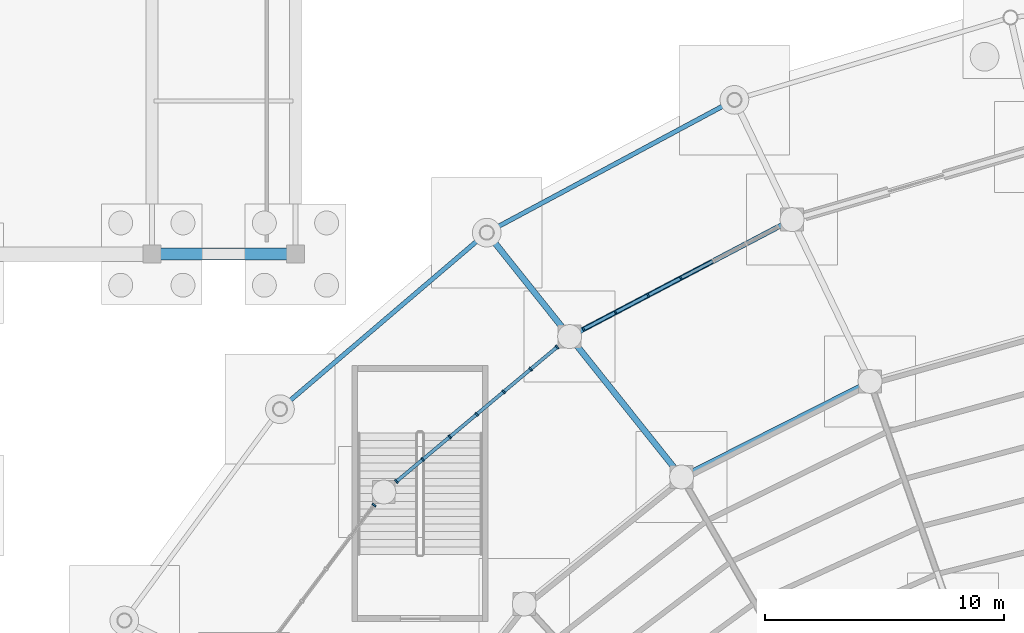
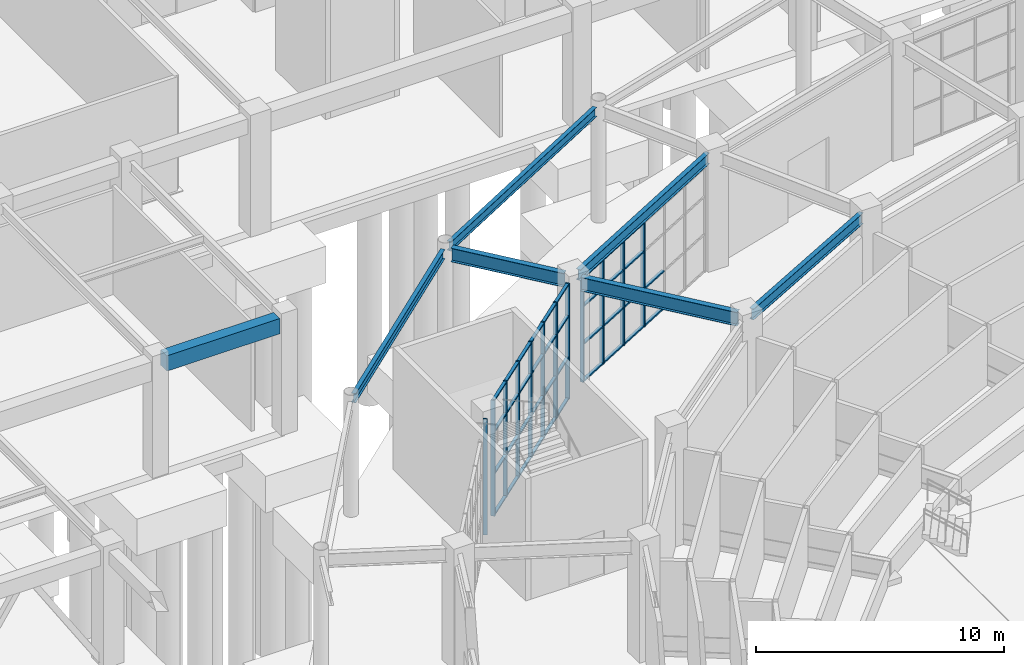
# One storey, part 43 of 121: 50 members, 7 beams, 3 elements without a shape of their own.
"""IFC4 building model written with IfcOpenShell, lengths in metres."""

from ifc_helpers import new_model, si_unit, direction, frame, origin, origin_2d, place, context, subcontext, project, spatial, rectangle, i_section, extrude, material, material_profile, profile_set, type_object, element, aggregate, save


model = new_model("IFC4")

# Units and contexts
model_context = context("Model", 3, precision=1e-05, world=origin(), true_north=direction((0.0, 1.0)))
body_context = subcontext(model_context, "Body", "Model", "MODEL_VIEW")
ifc_project = project(units=[si_unit("LENGTHUNIT", "METRE"), si_unit("AREAUNIT", "SQUARE_METRE"), si_unit("VOLUMEUNIT", "CUBIC_METRE"), si_unit("PLANEANGLEUNIT", "RADIAN"), si_unit("MASSUNIT", "GRAM", prefix="KILO")], contexts=[model_context])

# Site, building, storey
site_placement = place(None, origin())
site = spatial("IfcSite", under=ifc_project, at=site_placement, CompositionType="ELEMENT")
building_placement = place(site_placement, origin())
building = spatial("IfcBuilding", under=site, at=building_placement, Name="Cuetzalor Civic Arena", CompositionType="ELEMENT")
storey_placement = place(building_placement, origin())
storey = spatial("IfcBuildingStorey", under=building, at=storey_placement, Name="L00", CompositionType="ELEMENT", Elevation=0.0)

# Beam
ifc_material_1 = material(Name="Concrete C40/50", Category="concrete")
ifc_material_profile_1 = material_profile(ifc_material_1, rectangle(XDim=0.5, YDim=0.75, at=origin_2d()), Name="RC 500x750")
ifc_profile_set_1 = profile_set([ifc_material_profile_1], Name="Concrete C40/50")
beam_type_1 = type_object("IfcBeamType", Name="ConcreteFrameBeam_500x750", PredefinedType="BEAM", material=ifc_profile_set_1)
beam_1_placement = place(storey_placement, frame((-47.635009765625, 35.5, 5.324951171875), z_axis=(1.0, 0.0, 0.0), x_axis=(0.0, 1.0, 0.0)))
element("IfcBeam", 1, at=beam_1_placement, inside=storey, type_object=beam_type_1, Name="Frame Girder V5-L00-X0215", PredefinedType="BEAM", context=body_context, shape_type="SweptSolid", body=[
    extrude(rectangle(XDim=0.5, YDim=0.75, at=origin_2d()), origin(), (0.0, 0.0, 1.0), 5.27001953125),
])

# Curtain wall, members
ifc_material_2 = material(Name="Anodised dark bronze aluminium and low-E solar glass", Category="aluminium")
curtain_wall_type_1 = type_object("IfcCurtainWallType", Name="UnitisedCW_9250x5150", PredefinedType="USERDEFINED", material=ifc_material_2)
curtain_wall_1_placement = place(storey_placement, origin())
curtain_wall_1 = element("IfcCurtainWall", 2, at=curtain_wall_1_placement, inside=storey, type_object=curtain_wall_type_1, Name="Drum Ground Recessed Concourse Curtain Wall L00-007", ObjectType="UNITISED CURTAIN WALL", PredefinedType="USERDEFINED")
ifc_material_3 = material(Name="Anodised dark bronze aluminium", Category="aluminium")
ifc_material_profile_2 = material_profile(ifc_material_3, rectangle(XDim=0.070068359375, YDim=0.179931640625, at=origin_2d()), Name="ALU MULLION 70x180")
ifc_profile_set_2 = profile_set([ifc_material_profile_2], Name="Anodised dark bronze aluminium")
member_type_1 = type_object("IfcMemberType", Name="CurtainWallMullion_65x180", PredefinedType="MULLION", material=ifc_profile_set_2)
member_1_placement = place(storey_placement, frame((-29.968017578125, 32.361572265625, 0.0), z_axis=(0.0, 0.0, 1.0), x_axis=(0.885118421147, 0.465365856662, 0.0)))
member_1 = element("IfcMember", 3, at=member_1_placement, type_object=member_type_1, Name="CW-04 mullion 1", PredefinedType="MULLION", context=body_context, shape_type="SweptSolid", body=[
    extrude(rectangle(XDim=0.070068359375, YDim=0.179931640625, at=origin_2d()), origin(), (0.0, 0.0, 1.0), 5.156982421875),
])
member_2_placement = place(storey_placement, frame((-28.634521484375, 33.0625, 0.0), z_axis=(0.0, 0.0, 1.0), x_axis=(0.885118421147, 0.465365856662, 0.0)))
member_2 = element("IfcMember", 4, at=member_2_placement, type_object=member_type_1, Name="CW-04 mullion 2", PredefinedType="MULLION", context=body_context, shape_type="SweptSolid", body=[
    extrude(rectangle(XDim=0.070068359375, YDim=0.179931640625, at=origin_2d()), origin(), (0.0, 0.0, 1.0), 5.156982421875),
])
member_3_placement = place(storey_placement, frame((-27.27001953125, 33.780029296875, 0.0), z_axis=(0.0, 0.0, 1.0), x_axis=(0.885118421147, 0.465365856662, 0.0)))
member_3 = element("IfcMember", 5, at=member_3_placement, type_object=member_type_1, Name="CW-04 mullion 3", PredefinedType="MULLION", context=body_context, shape_type="SweptSolid", body=[
    extrude(rectangle(XDim=0.070068359375, YDim=0.179931640625, at=origin_2d()), origin(), (0.0, 0.0, 1.0), 5.156982421875),
])
member_4_placement = place(storey_placement, frame((-25.90576171875, 34.497314453125, 0.0), z_axis=(0.0, 0.0, 1.0), x_axis=(0.885118421147, 0.465365856662, 0.0)))
member_4 = element("IfcMember", 6, at=member_4_placement, type_object=member_type_1, Name="CW-04 mullion 4", PredefinedType="MULLION", context=body_context, shape_type="SweptSolid", body=[
    extrude(rectangle(XDim=0.070068359375, YDim=0.179931640625, at=origin_2d()), origin(), (0.0, 0.0, 1.0), 5.156982421875),
])

ifc_material_4 = material(Name="Anodised dark bronze aluminium and low-E solar glass", Category="aluminium")
curtain_wall_type_2 = type_object("IfcCurtainWallType", Name="UnitisedCW_8800x5700", PredefinedType="USERDEFINED", material=ifc_material_4)
curtain_wall_2_placement = place(storey_placement, origin())
curtain_wall_2 = element("IfcCurtainWall", 7, at=curtain_wall_2_placement, inside=storey, type_object=curtain_wall_type_2, Name="Drum Ground Recessed Concourse Curtain Wall L00-008", ObjectType="UNITISED CURTAIN WALL", PredefinedType="USERDEFINED")
member_5_placement = place(storey_placement, frame((-37.783447265625, 26.00341796875, 0.0), z_axis=(0.0, 0.0, 1.0), x_axis=(0.766928030459, 0.641733119059, 0.0)))
member_5 = element("IfcMember", 8, at=member_5_placement, type_object=member_type_1, Name="CW-03 mullion 1", PredefinedType="MULLION", context=body_context, shape_type="SweptSolid", body=[
    extrude(rectangle(XDim=0.070068359375, YDim=0.179931640625, at=origin_2d()), origin(), (0.0, 0.0, 1.0), 5.699951171875),
])
member_6_placement = place(storey_placement, frame((-36.68359375, 26.923583984375, 0.0), z_axis=(0.0, 0.0, 1.0), x_axis=(0.766928030459, 0.641733119059, 0.0)))
member_6 = element("IfcMember", 9, at=member_6_placement, type_object=member_type_1, Name="CW-03 mullion 2", PredefinedType="MULLION", context=body_context, shape_type="SweptSolid", body=[
    extrude(rectangle(XDim=0.070068359375, YDim=0.179931640625, at=origin_2d()), origin(), (0.0, 0.0, 1.0), 5.699951171875),
])
member_7_placement = place(storey_placement, frame((-35.556884765625, 27.866455078125, 0.0), z_axis=(0.0, 0.0, 1.0), x_axis=(0.766928030459, 0.641733119059, 0.0)))
member_7 = element("IfcMember", 10, at=member_7_placement, type_object=member_type_1, Name="CW-03 mullion 3", PredefinedType="MULLION", context=body_context, shape_type="SweptSolid", body=[
    extrude(rectangle(XDim=0.070068359375, YDim=0.179931640625, at=origin_2d()), origin(), (0.0, 0.0, 1.0), 5.699951171875),
])
member_8_placement = place(storey_placement, frame((-34.430419921875, 28.80908203125, 0.0), z_axis=(0.0, 0.0, 1.0), x_axis=(0.766928030459, 0.641733119059, 0.0)))
member_8 = element("IfcMember", 11, at=member_8_placement, type_object=member_type_1, Name="CW-03 mullion 4", PredefinedType="MULLION", context=body_context, shape_type="SweptSolid", body=[
    extrude(rectangle(XDim=0.070068359375, YDim=0.179931640625, at=origin_2d()), origin(), (0.0, 0.0, 1.0), 5.699951171875),
])
member_9_placement = place(storey_placement, frame((-33.3037109375, 29.751953125, 0.0), z_axis=(0.0, 0.0, 1.0), x_axis=(0.766928030459, 0.641733119059, 0.0)))
member_9 = element("IfcMember", 12, at=member_9_placement, type_object=member_type_1, Name="CW-03 mullion 5", PredefinedType="MULLION", context=body_context, shape_type="SweptSolid", body=[
    extrude(rectangle(XDim=0.070068359375, YDim=0.179931640625, at=origin_2d()), origin(), (0.0, 0.0, 1.0), 5.699951171875),
])
member_10_placement = place(storey_placement, frame((-32.177001953125, 30.694580078125, 0.0), z_axis=(0.0, 0.0, 1.0), x_axis=(0.766928030459, 0.641733119059, 0.0)))
member_10 = element("IfcMember", 13, at=member_10_placement, type_object=member_type_1, Name="CW-03 mullion 6", PredefinedType="MULLION", context=body_context, shape_type="SweptSolid", body=[
    extrude(rectangle(XDim=0.070068359375, YDim=0.179931640625, at=origin_2d()), origin(), (0.0, 0.0, 1.0), 5.699951171875),
])
member_11_placement = place(storey_placement, frame((-31.0771484375, 31.61474609375, 0.0), z_axis=(0.0, 0.0, 1.0), x_axis=(0.766928030459, 0.641733119059, 0.0)))
member_11 = element("IfcMember", 14, at=member_11_placement, type_object=member_type_1, Name="CW-03 mullion 7", PredefinedType="MULLION", context=body_context, shape_type="SweptSolid", body=[
    extrude(rectangle(XDim=0.070068359375, YDim=0.179931640625, at=origin_2d()), origin(), (0.0, 0.0, 1.0), 5.699951171875),
])

# Curtain wall, member
ifc_material_5 = material(Name="Anodised dark bronze aluminium and low-E solar glass", Category="aluminium")
curtain_wall_type_3 = type_object("IfcCurtainWallType", Name="UnitisedCW_8450x5700", PredefinedType="USERDEFINED", material=ifc_material_5)
curtain_wall_3_placement = place(storey_placement, origin())
curtain_wall_3 = element("IfcCurtainWall", 15, at=curtain_wall_3_placement, inside=storey, type_object=curtain_wall_type_3, Name="Drum Ground Recessed Concourse Curtain Wall L00-009", ObjectType="UNITISED CURTAIN WALL", PredefinedType="USERDEFINED")
member_12_placement = place(storey_placement, frame((-38.71923828125, 25.017822265625, 0.0), z_axis=(0.0, 0.0, 1.0), x_axis=(0.600491594925, 0.799631067696, 0.0)))
member_12 = element("IfcMember", 16, at=member_12_placement, type_object=member_type_1, Name="CW-02 mullion 6", PredefinedType="MULLION", context=body_context, shape_type="SweptSolid", body=[
    extrude(rectangle(XDim=0.070068359375, YDim=0.179931640625, at=origin_2d()), origin(), (0.0, 0.0, 1.0), 5.699951171875),
])
aggregate(curtain_wall_3, [member_12])

# Member
ifc_material_6 = material(Name="Anodised dark bronze aluminium", Category="aluminium")
ifc_material_profile_3 = material_profile(ifc_material_6, rectangle(XDim=0.139892578125, YDim=0.070068359375, at=origin_2d()), Name="ALU TRANSOM 70x140")
ifc_profile_set_3 = profile_set([ifc_material_profile_3], Name="Anodised dark bronze aluminium")
member_type_2 = type_object("IfcMemberType", Name="CurtainWallTransom_65x140", PredefinedType="USERDEFINED", material=ifc_profile_set_3)
member_13_placement = place(storey_placement, frame((-29.937255859375, 32.377685546875, 0.034912109375), z_axis=(0.885098761997, 0.465403246134, 0.0), x_axis=(-0.465403246134, 0.885098761997, 0.0)))
member_13 = element("IfcMember", 17, at=member_13_placement, type_object=member_type_2, Name="CW-04 transom 1.1", ObjectType="TRANSOM", PredefinedType="USERDEFINED", context=body_context, shape_type="SweptSolid", body=[
    extrude(rectangle(XDim=0.139892578125, YDim=0.070068359375, at=origin_2d()), origin(), (0.0, 0.0, 1.0), 1.436767578125),
])

member_14_placement = place(storey_placement, frame((-29.937255859375, 32.377685546875, 1.85693359375), z_axis=(0.885098761997, 0.465403246134, 0.0), x_axis=(-0.465403246134, 0.885098761997, 0.0)))
member_14 = element("IfcMember", 18, at=member_14_placement, type_object=member_type_2, Name="CW-04 transom 1.2", ObjectType="TRANSOM", PredefinedType="USERDEFINED", context=body_context, shape_type="SweptSolid", body=[
    extrude(rectangle(XDim=0.139892578125, YDim=0.070068359375, at=origin_2d()), origin(), (0.0, 0.0, 1.0), 1.436767578125),
])

member_15_placement = place(storey_placement, frame((-29.937255859375, 32.377685546875, 3.712890625), z_axis=(0.885098761997, 0.465403246134, 0.0), x_axis=(-0.465403246134, 0.885098761997, 0.0)))
member_15 = element("IfcMember", 19, at=member_15_placement, type_object=member_type_2, Name="CW-04 transom 1.3", ObjectType="TRANSOM", PredefinedType="USERDEFINED", context=body_context, shape_type="SweptSolid", body=[
    extrude(rectangle(XDim=0.139892578125, YDim=0.070068359375, at=origin_2d()), origin(), (0.0, 0.0, 1.0), 1.436767578125),
])

member_16_placement = place(storey_placement, frame((-29.937255859375, 32.377685546875, 5.1220703125), z_axis=(0.885098761997, 0.465403246134, 0.0), x_axis=(-0.465403246134, 0.885098761997, 0.0)))
member_16 = element("IfcMember", 20, at=member_16_placement, type_object=member_type_2, Name="CW-04 transom 1.4", ObjectType="TRANSOM", PredefinedType="USERDEFINED", context=body_context, shape_type="SweptSolid", body=[
    extrude(rectangle(XDim=0.139892578125, YDim=0.070068359375, at=origin_2d()), origin(), (0.0, 0.0, 1.0), 1.436767578125),
])

member_17_placement = place(storey_placement, frame((-28.603515625, 33.078857421875, 0.034912109375), z_axis=(0.885116079734, 0.465370309963, 0.0), x_axis=(-0.465370309963, 0.885116079734, 0.0)))
member_17 = element("IfcMember", 21, at=member_17_placement, type_object=member_type_2, Name="CW-04 transom 2.1", ObjectType="TRANSOM", PredefinedType="USERDEFINED", context=body_context, shape_type="SweptSolid", body=[
    extrude(rectangle(XDim=0.139892578125, YDim=0.070068359375, at=origin_2d()), origin(), (0.0, 0.0, 1.0), 1.471435546875),
])

member_18_placement = place(storey_placement, frame((-28.603515625, 33.078857421875, 1.85693359375), z_axis=(0.885116079734, 0.465370309963, 0.0), x_axis=(-0.465370309963, 0.885116079734, 0.0)))
member_18 = element("IfcMember", 22, at=member_18_placement, type_object=member_type_2, Name="CW-04 transom 2.2", ObjectType="TRANSOM", PredefinedType="USERDEFINED", context=body_context, shape_type="SweptSolid", body=[
    extrude(rectangle(XDim=0.139892578125, YDim=0.070068359375, at=origin_2d()), origin(), (0.0, 0.0, 1.0), 1.471435546875),
])

member_19_placement = place(storey_placement, frame((-28.603515625, 33.078857421875, 3.712890625), z_axis=(0.885116079734, 0.465370309963, 0.0), x_axis=(-0.465370309963, 0.885116079734, 0.0)))
member_19 = element("IfcMember", 23, at=member_19_placement, type_object=member_type_2, Name="CW-04 transom 2.3", ObjectType="TRANSOM", PredefinedType="USERDEFINED", context=body_context, shape_type="SweptSolid", body=[
    extrude(rectangle(XDim=0.139892578125, YDim=0.070068359375, at=origin_2d()), origin(), (0.0, 0.0, 1.0), 1.471435546875),
])

member_20_placement = place(storey_placement, frame((-28.603515625, 33.078857421875, 5.1220703125), z_axis=(0.885116079734, 0.465370309963, 0.0), x_axis=(-0.465370309963, 0.885116079734, 0.0)))
member_20 = element("IfcMember", 24, at=member_20_placement, type_object=member_type_2, Name="CW-04 transom 2.4", ObjectType="TRANSOM", PredefinedType="USERDEFINED", context=body_context, shape_type="SweptSolid", body=[
    extrude(rectangle(XDim=0.139892578125, YDim=0.070068359375, at=origin_2d()), origin(), (0.0, 0.0, 1.0), 1.471435546875),
])

member_21_placement = place(storey_placement, frame((-27.2392578125, 33.79638671875, 0.034912109375), z_axis=(0.885152002312, 0.465301980226, 0.0), x_axis=(-0.465301980226, 0.885152002312, 0.0)))
member_21 = element("IfcMember", 25, at=member_21_placement, type_object=member_type_2, Name="CW-04 transom 3.1", ObjectType="TRANSOM", PredefinedType="USERDEFINED", context=body_context, shape_type="SweptSolid", body=[
    extrude(rectangle(XDim=0.139892578125, YDim=0.070068359375, at=origin_2d()), origin(), (0.0, 0.0, 1.0), 1.4716796875),
])

member_22_placement = place(storey_placement, frame((-27.2392578125, 33.79638671875, 1.85693359375), z_axis=(0.885152002312, 0.465301980226, 0.0), x_axis=(-0.465301980226, 0.885152002312, 0.0)))
member_22 = element("IfcMember", 26, at=member_22_placement, type_object=member_type_2, Name="CW-04 transom 3.2", ObjectType="TRANSOM", PredefinedType="USERDEFINED", context=body_context, shape_type="SweptSolid", body=[
    extrude(rectangle(XDim=0.139892578125, YDim=0.070068359375, at=origin_2d()), origin(), (0.0, 0.0, 1.0), 1.4716796875),
])

member_23_placement = place(storey_placement, frame((-27.2392578125, 33.79638671875, 3.712890625), z_axis=(0.885152002312, 0.465301980226, 0.0), x_axis=(-0.465301980226, 0.885152002312, 0.0)))
member_23 = element("IfcMember", 27, at=member_23_placement, type_object=member_type_2, Name="CW-04 transom 3.3", ObjectType="TRANSOM", PredefinedType="USERDEFINED", context=body_context, shape_type="SweptSolid", body=[
    extrude(rectangle(XDim=0.139892578125, YDim=0.070068359375, at=origin_2d()), origin(), (0.0, 0.0, 1.0), 1.4716796875),
])

member_24_placement = place(storey_placement, frame((-27.2392578125, 33.79638671875, 5.1220703125), z_axis=(0.885152002312, 0.465301980226, 0.0), x_axis=(-0.465301980226, 0.885152002312, 0.0)))
member_24 = element("IfcMember", 28, at=member_24_placement, type_object=member_type_2, Name="CW-04 transom 3.4", ObjectType="TRANSOM", PredefinedType="USERDEFINED", context=body_context, shape_type="SweptSolid", body=[
    extrude(rectangle(XDim=0.139892578125, YDim=0.070068359375, at=origin_2d()), origin(), (0.0, 0.0, 1.0), 1.4716796875),
])

member_25_placement = place(storey_placement, frame((-25.874755859375, 34.513671875, 0.034912109375), z_axis=(0.885116079734, 0.465370309963, 0.0), x_axis=(-0.465370309963, 0.885116079734, 0.0)))
member_25 = element("IfcMember", 29, at=member_25_placement, type_object=member_type_2, Name="CW-04 transom 4.1", ObjectType="TRANSOM", PredefinedType="USERDEFINED", context=body_context, shape_type="SweptSolid", body=[
    extrude(rectangle(XDim=0.139892578125, YDim=0.070068359375, at=origin_2d()), origin(), (0.0, 0.0, 1.0), 1.471435546875),
])

member_26_placement = place(storey_placement, frame((-25.874755859375, 34.513671875, 1.85693359375), z_axis=(0.885116079734, 0.465370309963, 0.0), x_axis=(-0.465370309963, 0.885116079734, 0.0)))
member_26 = element("IfcMember", 30, at=member_26_placement, type_object=member_type_2, Name="CW-04 transom 4.2", ObjectType="TRANSOM", PredefinedType="USERDEFINED", context=body_context, shape_type="SweptSolid", body=[
    extrude(rectangle(XDim=0.139892578125, YDim=0.070068359375, at=origin_2d()), origin(), (0.0, 0.0, 1.0), 1.471435546875),
])

aggregate(curtain_wall_1, [member_1, member_2, member_3, member_4, member_13, member_14, member_15, member_16, member_17, member_18, member_19, member_20, member_21, member_22, member_23, member_24, member_25, member_26])

member_27_placement = place(storey_placement, frame((-37.756591796875, 26.02587890625, 0.034912109375), z_axis=(0.766972759582, 0.641679660001, 0.0), x_axis=(-0.641679660001, 0.766972759582, 0.0)))
member_27 = element("IfcMember", 31, at=member_27_placement, type_object=member_type_2, Name="CW-03 transom 1.1", ObjectType="TRANSOM", PredefinedType="USERDEFINED", context=body_context, shape_type="SweptSolid", body=[
    extrude(rectangle(XDim=0.139892578125, YDim=0.070068359375, at=origin_2d()), origin(), (0.0, 0.0, 1.0), 1.364013671875),
])

member_28_placement = place(storey_placement, frame((-37.756591796875, 26.02587890625, 2.052001953125), z_axis=(0.766972759582, 0.641679660001, 0.0), x_axis=(-0.641679660001, 0.766972759582, 0.0)))
member_28 = element("IfcMember", 32, at=member_28_placement, type_object=member_type_2, Name="CW-03 transom 1.2", ObjectType="TRANSOM", PredefinedType="USERDEFINED", context=body_context, shape_type="SweptSolid", body=[
    extrude(rectangle(XDim=0.139892578125, YDim=0.070068359375, at=origin_2d()), origin(), (0.0, 0.0, 1.0), 1.364013671875),
])

member_29_placement = place(storey_placement, frame((-37.756591796875, 26.02587890625, 4.10400390625), z_axis=(0.766972759582, 0.641679660001, 0.0), x_axis=(-0.641679660001, 0.766972759582, 0.0)))
member_29 = element("IfcMember", 33, at=member_29_placement, type_object=member_type_2, Name="CW-03 transom 1.3", ObjectType="TRANSOM", PredefinedType="USERDEFINED", context=body_context, shape_type="SweptSolid", body=[
    extrude(rectangle(XDim=0.139892578125, YDim=0.070068359375, at=origin_2d()), origin(), (0.0, 0.0, 1.0), 1.364013671875),
])

member_30_placement = place(storey_placement, frame((-37.756591796875, 26.02587890625, 5.6650390625), z_axis=(0.766972759582, 0.641679660001, 0.0), x_axis=(-0.641679660001, 0.766972759582, 0.0)))
member_30 = element("IfcMember", 34, at=member_30_placement, type_object=member_type_2, Name="CW-03 transom 1.4", ObjectType="TRANSOM", PredefinedType="USERDEFINED", context=body_context, shape_type="SweptSolid", body=[
    extrude(rectangle(XDim=0.139892578125, YDim=0.070068359375, at=origin_2d()), origin(), (0.0, 0.0, 1.0), 1.364013671875),
])

member_31_placement = place(storey_placement, frame((-36.65673828125, 26.946044921875, 0.034912109375), z_axis=(0.766889482405, 0.641779184593, 0.0), x_axis=(-0.641779184593, 0.766889482405, 0.0)))
member_31 = element("IfcMember", 35, at=member_31_placement, type_object=member_type_2, Name="CW-03 transom 2.1", ObjectType="TRANSOM", PredefinedType="USERDEFINED", context=body_context, shape_type="SweptSolid", body=[
    extrude(rectangle(XDim=0.139892578125, YDim=0.070068359375, at=origin_2d()), origin(), (0.0, 0.0, 1.0), 1.399169921875),
])

member_32_placement = place(storey_placement, frame((-36.65673828125, 26.946044921875, 2.052001953125), z_axis=(0.766889482405, 0.641779184593, 0.0), x_axis=(-0.641779184593, 0.766889482405, 0.0)))
member_32 = element("IfcMember", 36, at=member_32_placement, type_object=member_type_2, Name="CW-03 transom 2.2", ObjectType="TRANSOM", PredefinedType="USERDEFINED", context=body_context, shape_type="SweptSolid", body=[
    extrude(rectangle(XDim=0.139892578125, YDim=0.070068359375, at=origin_2d()), origin(), (0.0, 0.0, 1.0), 1.399169921875),
])

member_33_placement = place(storey_placement, frame((-36.65673828125, 26.946044921875, 4.10400390625), z_axis=(0.766889482405, 0.641779184593, 0.0), x_axis=(-0.641779184593, 0.766889482405, 0.0)))
member_33 = element("IfcMember", 37, at=member_33_placement, type_object=member_type_2, Name="CW-03 transom 2.3", ObjectType="TRANSOM", PredefinedType="USERDEFINED", context=body_context, shape_type="SweptSolid", body=[
    extrude(rectangle(XDim=0.139892578125, YDim=0.070068359375, at=origin_2d()), origin(), (0.0, 0.0, 1.0), 1.399169921875),
])

member_34_placement = place(storey_placement, frame((-36.65673828125, 26.946044921875, 5.6650390625), z_axis=(0.766889482405, 0.641779184593, 0.0), x_axis=(-0.641779184593, 0.766889482405, 0.0)))
member_34 = element("IfcMember", 38, at=member_34_placement, type_object=member_type_2, Name="CW-03 transom 2.4", ObjectType="TRANSOM", PredefinedType="USERDEFINED", context=body_context, shape_type="SweptSolid", body=[
    extrude(rectangle(XDim=0.139892578125, YDim=0.070068359375, at=origin_2d()), origin(), (0.0, 0.0, 1.0), 1.399169921875),
])

member_35_placement = place(storey_placement, frame((-35.5302734375, 27.888916015625, 0.034912109375), z_axis=(0.766975365209, 0.641676545591, 0.0), x_axis=(-0.641676545591, 0.766975365209, 0.0)))
member_35 = element("IfcMember", 39, at=member_35_placement, type_object=member_type_2, Name="CW-03 transom 3.1", ObjectType="TRANSOM", PredefinedType="USERDEFINED", context=body_context, shape_type="SweptSolid", body=[
    extrude(rectangle(XDim=0.139892578125, YDim=0.070068359375, at=origin_2d()), origin(), (0.0, 0.0, 1.0), 1.39892578125),
])

member_36_placement = place(storey_placement, frame((-35.5302734375, 27.888916015625, 2.052001953125), z_axis=(0.766975365209, 0.641676545591, 0.0), x_axis=(-0.641676545591, 0.766975365209, 0.0)))
member_36 = element("IfcMember", 40, at=member_36_placement, type_object=member_type_2, Name="CW-03 transom 3.2", ObjectType="TRANSOM", PredefinedType="USERDEFINED", context=body_context, shape_type="SweptSolid", body=[
    extrude(rectangle(XDim=0.139892578125, YDim=0.070068359375, at=origin_2d()), origin(), (0.0, 0.0, 1.0), 1.39892578125),
])

member_37_placement = place(storey_placement, frame((-35.5302734375, 27.888916015625, 4.10400390625), z_axis=(0.766975365209, 0.641676545591, 0.0), x_axis=(-0.641676545591, 0.766975365209, 0.0)))
member_37 = element("IfcMember", 41, at=member_37_placement, type_object=member_type_2, Name="CW-03 transom 3.3", ObjectType="TRANSOM", PredefinedType="USERDEFINED", context=body_context, shape_type="SweptSolid", body=[
    extrude(rectangle(XDim=0.139892578125, YDim=0.070068359375, at=origin_2d()), origin(), (0.0, 0.0, 1.0), 1.39892578125),
])

member_38_placement = place(storey_placement, frame((-35.5302734375, 27.888916015625, 5.6650390625), z_axis=(0.766975365209, 0.641676545591, 0.0), x_axis=(-0.641676545591, 0.766975365209, 0.0)))
member_38 = element("IfcMember", 42, at=member_38_placement, type_object=member_type_2, Name="CW-03 transom 3.4", ObjectType="TRANSOM", PredefinedType="USERDEFINED", context=body_context, shape_type="SweptSolid", body=[
    extrude(rectangle(XDim=0.139892578125, YDim=0.070068359375, at=origin_2d()), origin(), (0.0, 0.0, 1.0), 1.39892578125),
])

member_39_placement = place(storey_placement, frame((-34.403564453125, 28.83154296875, 0.034912109375), z_axis=(0.766889482405, 0.641779184593, 0.0), x_axis=(-0.641779184593, 0.766889482405, 0.0)))
member_39 = element("IfcMember", 43, at=member_39_placement, type_object=member_type_2, Name="CW-03 transom 4.1", ObjectType="TRANSOM", PredefinedType="USERDEFINED", context=body_context, shape_type="SweptSolid", body=[
    extrude(rectangle(XDim=0.139892578125, YDim=0.070068359375, at=origin_2d()), origin(), (0.0, 0.0, 1.0), 1.399169921875),
])

member_40_placement = place(storey_placement, frame((-34.403564453125, 28.83154296875, 2.052001953125), z_axis=(0.766889482405, 0.641779184593, 0.0), x_axis=(-0.641779184593, 0.766889482405, 0.0)))
member_40 = element("IfcMember", 44, at=member_40_placement, type_object=member_type_2, Name="CW-03 transom 4.2", ObjectType="TRANSOM", PredefinedType="USERDEFINED", context=body_context, shape_type="SweptSolid", body=[
    extrude(rectangle(XDim=0.139892578125, YDim=0.070068359375, at=origin_2d()), origin(), (0.0, 0.0, 1.0), 1.399169921875),
])

member_41_placement = place(storey_placement, frame((-34.403564453125, 28.83154296875, 4.10400390625), z_axis=(0.766889482405, 0.641779184593, 0.0), x_axis=(-0.641779184593, 0.766889482405, 0.0)))
member_41 = element("IfcMember", 45, at=member_41_placement, type_object=member_type_2, Name="CW-03 transom 4.3", ObjectType="TRANSOM", PredefinedType="USERDEFINED", context=body_context, shape_type="SweptSolid", body=[
    extrude(rectangle(XDim=0.139892578125, YDim=0.070068359375, at=origin_2d()), origin(), (0.0, 0.0, 1.0), 1.399169921875),
])

member_42_placement = place(storey_placement, frame((-34.403564453125, 28.83154296875, 5.6650390625), z_axis=(0.766889482405, 0.641779184593, 0.0), x_axis=(-0.641779184593, 0.766889482405, 0.0)))
member_42 = element("IfcMember", 46, at=member_42_placement, type_object=member_type_2, Name="CW-03 transom 4.4", ObjectType="TRANSOM", PredefinedType="USERDEFINED", context=body_context, shape_type="SweptSolid", body=[
    extrude(rectangle(XDim=0.139892578125, YDim=0.070068359375, at=origin_2d()), origin(), (0.0, 0.0, 1.0), 1.399169921875),
])

member_43_placement = place(storey_placement, frame((-33.27685546875, 29.7744140625, 0.034912109375), z_axis=(0.766975365209, 0.641676545591, 0.0), x_axis=(-0.641676545591, 0.766975365209, 0.0)))
member_43 = element("IfcMember", 47, at=member_43_placement, type_object=member_type_2, Name="CW-03 transom 5.1", ObjectType="TRANSOM", PredefinedType="USERDEFINED", context=body_context, shape_type="SweptSolid", body=[
    extrude(rectangle(XDim=0.139892578125, YDim=0.070068359375, at=origin_2d()), origin(), (0.0, 0.0, 1.0), 1.39892578125),
])

member_44_placement = place(storey_placement, frame((-33.27685546875, 29.7744140625, 2.052001953125), z_axis=(0.766975365209, 0.641676545591, 0.0), x_axis=(-0.641676545591, 0.766975365209, 0.0)))
member_44 = element("IfcMember", 48, at=member_44_placement, type_object=member_type_2, Name="CW-03 transom 5.2", ObjectType="TRANSOM", PredefinedType="USERDEFINED", context=body_context, shape_type="SweptSolid", body=[
    extrude(rectangle(XDim=0.139892578125, YDim=0.070068359375, at=origin_2d()), origin(), (0.0, 0.0, 1.0), 1.39892578125),
])

member_45_placement = place(storey_placement, frame((-33.27685546875, 29.7744140625, 4.10400390625), z_axis=(0.766975365209, 0.641676545591, 0.0), x_axis=(-0.641676545591, 0.766975365209, 0.0)))
member_45 = element("IfcMember", 49, at=member_45_placement, type_object=member_type_2, Name="CW-03 transom 5.3", ObjectType="TRANSOM", PredefinedType="USERDEFINED", context=body_context, shape_type="SweptSolid", body=[
    extrude(rectangle(XDim=0.139892578125, YDim=0.070068359375, at=origin_2d()), origin(), (0.0, 0.0, 1.0), 1.39892578125),
])

member_46_placement = place(storey_placement, frame((-33.27685546875, 29.7744140625, 5.6650390625), z_axis=(0.766975365209, 0.641676545591, 0.0), x_axis=(-0.641676545591, 0.766975365209, 0.0)))
member_46 = element("IfcMember", 50, at=member_46_placement, type_object=member_type_2, Name="CW-03 transom 5.4", ObjectType="TRANSOM", PredefinedType="USERDEFINED", context=body_context, shape_type="SweptSolid", body=[
    extrude(rectangle(XDim=0.139892578125, YDim=0.070068359375, at=origin_2d()), origin(), (0.0, 0.0, 1.0), 1.39892578125),
])

member_47_placement = place(storey_placement, frame((-32.150146484375, 30.717041015625, 0.034912109375), z_axis=(0.766972759582, 0.641679660001, 0.0), x_axis=(-0.641679660001, 0.766972759582, 0.0)))
member_47 = element("IfcMember", 51, at=member_47_placement, type_object=member_type_2, Name="CW-03 transom 6.1", ObjectType="TRANSOM", PredefinedType="USERDEFINED", context=body_context, shape_type="SweptSolid", body=[
    extrude(rectangle(XDim=0.139892578125, YDim=0.070068359375, at=origin_2d()), origin(), (0.0, 0.0, 1.0), 1.364013671875),
])

member_48_placement = place(storey_placement, frame((-32.150146484375, 30.717041015625, 2.052001953125), z_axis=(0.766972759582, 0.641679660001, 0.0), x_axis=(-0.641679660001, 0.766972759582, 0.0)))
member_48 = element("IfcMember", 52, at=member_48_placement, type_object=member_type_2, Name="CW-03 transom 6.2", ObjectType="TRANSOM", PredefinedType="USERDEFINED", context=body_context, shape_type="SweptSolid", body=[
    extrude(rectangle(XDim=0.139892578125, YDim=0.070068359375, at=origin_2d()), origin(), (0.0, 0.0, 1.0), 1.364013671875),
])

member_49_placement = place(storey_placement, frame((-32.150146484375, 30.717041015625, 4.10400390625), z_axis=(0.766972759582, 0.641679660001, 0.0), x_axis=(-0.641679660001, 0.766972759582, 0.0)))
member_49 = element("IfcMember", 53, at=member_49_placement, type_object=member_type_2, Name="CW-03 transom 6.3", ObjectType="TRANSOM", PredefinedType="USERDEFINED", context=body_context, shape_type="SweptSolid", body=[
    extrude(rectangle(XDim=0.139892578125, YDim=0.070068359375, at=origin_2d()), origin(), (0.0, 0.0, 1.0), 1.364013671875),
])

member_50_placement = place(storey_placement, frame((-32.150146484375, 30.717041015625, 5.6650390625), z_axis=(0.766972759582, 0.641679660001, 0.0), x_axis=(-0.641679660001, 0.766972759582, 0.0)))
member_50 = element("IfcMember", 54, at=member_50_placement, type_object=member_type_2, Name="CW-03 transom 6.4", ObjectType="TRANSOM", PredefinedType="USERDEFINED", context=body_context, shape_type="SweptSolid", body=[
    extrude(rectangle(XDim=0.139892578125, YDim=0.070068359375, at=origin_2d()), origin(), (0.0, 0.0, 1.0), 1.364013671875),
])

aggregate(curtain_wall_2, [member_5, member_6, member_7, member_8, member_9, member_10, member_11, member_27, member_28, member_29, member_30, member_31, member_32, member_33, member_34, member_35, member_36, member_37, member_38, member_39, member_40, member_41, member_42, member_43, member_44, member_45, member_46, member_47, member_48, member_49, member_50])

# Beams
ifc_material_7 = material(Name="Steel S355", Category="steel")
ifc_material_profile_4 = material_profile(ifc_material_7, i_section(OverallWidth=0.18994140625, OverallDepth=0.45703125, WebThickness=0.009033203125, FlangeThickness=0.014404296875, at=origin_2d()), Name="W460x74")
ifc_profile_set_4 = profile_set([ifc_material_profile_4], Name="Steel S355")
beam_type_2 = type_object("IfcBeamType", Name="FacadeSpandrelBeam_W460", PredefinedType="SPANDREL", material=ifc_profile_set_4)
beam_2_placement = place(storey_placement, frame((-23.924072265625, 41.802978515625, 5.471435546875), z_axis=(-0.881304552514, -0.472548712534, 0.0), x_axis=(0.472548712534, -0.881304552514, 0.0)))
element("IfcBeam", 55, at=beam_2_placement, inside=storey, type_object=beam_type_2, Name="Drum Perimeter Spandrel L00-S10", PredefinedType="SPANDREL", context=body_context, shape_type="SweptSolid", body=[
    extrude(i_section(OverallWidth=0.18994140625, OverallDepth=0.45703125, WebThickness=0.009033203125, FlangeThickness=0.014404296875, at=origin_2d()), origin(), (0.0, 0.0, 1.0), 11.156005859375),
])
beam_3_placement = place(storey_placement, frame((-34.23193359375, 36.2060546875, 5.471435546875), z_axis=(-0.760676650628, -0.649130983076, 0.0), x_axis=(0.649130983076, -0.760676650628, 0.0)))
element("IfcBeam", 56, at=beam_3_placement, inside=storey, type_object=beam_type_2, Name="Drum Perimeter Spandrel L00-S11", PredefinedType="SPANDREL", context=body_context, shape_type="SweptSolid", body=[
    extrude(i_section(OverallWidth=0.18994140625, OverallDepth=0.45703125, WebThickness=0.009033203125, FlangeThickness=0.014404296875, at=origin_2d()), origin(), (0.0, 0.0, 1.0), 10.77490234375),
])
ifc_material_8 = material(Name="Steel S355", Category="steel")
ifc_material_profile_5 = material_profile(ifc_material_8, i_section(OverallWidth=0.208984375, OverallDepth=0.532958984375, WebThickness=0.01025390625, FlangeThickness=0.015625, at=origin_2d()), Name="W530x92")
ifc_profile_set_5 = profile_set([ifc_material_profile_5], Name="Steel S355")
beam_type_3 = type_object("IfcBeamType", Name="SteelCollarGirder_W530", PredefinedType="BEAM", material=ifc_profile_set_5)
beam_4_placement = place(storey_placement, frame((-21.587890625, 36.767578125, 5.43359375), z_axis=(-0.885117354883, -0.465367884673, 0.0), x_axis=(0.465367884673, -0.885117354883, 0.0)))
element("IfcBeam", 57, at=beam_4_placement, inside=storey, type_object=beam_type_3, Name="Drum Concourse Ring Girder L00-S10", PredefinedType="BEAM", context=body_context, shape_type="SweptSolid", body=[
    extrude(i_section(OverallWidth=0.208984375, OverallDepth=0.532958984375, WebThickness=0.01025390625, FlangeThickness=0.015625, at=origin_2d()), origin(), (0.0, 0.0, 1.0), 9.75634765625),
])
beam_5_placement = place(storey_placement, frame((-18.327392578125, 30.019775390625, 5.43359375), z_axis=(-0.89182706622, -0.452376484754, 0.0), x_axis=(0.452376484754, -0.89182706622, 0.0)))
element("IfcBeam", 58, at=beam_5_placement, inside=storey, type_object=beam_type_3, Name="Bowl Inner Ring Girder L00-S10", PredefinedType="BEAM", context=body_context, shape_type="SweptSolid", body=[
    extrude(i_section(OverallWidth=0.208984375, OverallDepth=0.532958984375, WebThickness=0.01025390625, FlangeThickness=0.015625, at=origin_2d()), origin(), (0.0, 0.0, 1.0), 8.102783203125),
])
ifc_material_9 = material(Name="Steel S355", Category="steel")
ifc_material_profile_6 = material_profile(ifc_material_9, i_section(OverallWidth=0.2529296875, OverallDepth=0.677978515625, WebThickness=0.01171875, FlangeThickness=0.016357421875, at=origin_2d()), Name="W690x125")
ifc_profile_set_6 = profile_set([ifc_material_profile_6], Name="Steel S355")
beam_type_4 = type_object("IfcBeamType", Name="SteelPrimaryGirder_W690", PredefinedType="BEAM", material=ifc_profile_set_6)
beam_6_placement = place(storey_placement, frame((-30.775390625, 32.336669921875, 5.361083984375), z_axis=(-0.623515538789, 0.781810957258, 0.0), x_axis=(-0.781810957258, -0.623515538789, 0.0)))
element("IfcBeam", 59, at=beam_6_placement, inside=storey, type_object=beam_type_4, Name="Drum Radial Girder L00-R11", PredefinedType="BEAM", context=body_context, shape_type="SweptSolid", body=[
    extrude(i_section(OverallWidth=0.2529296875, OverallDepth=0.677978515625, WebThickness=0.01171875, FlangeThickness=0.016357421875, at=origin_2d()), origin(), (0.0, 0.0, 1.0), 4.89990234375),
])
beam_7_placement = place(storey_placement, frame((-26.099365234375, 26.472900390625, 5.361083984375), z_axis=(-0.623473464464, 0.781844510826, 0.0), x_axis=(-0.781844510826, -0.623473464464, 0.0)))
element("IfcBeam", 60, at=beam_7_placement, inside=storey, type_object=beam_type_4, Name="Drum Inner Radial Girder L00-R11", PredefinedType="BEAM", context=body_context, shape_type="SweptSolid", body=[
    extrude(i_section(OverallWidth=0.2529296875, OverallDepth=0.677978515625, WebThickness=0.01171875, FlangeThickness=0.016357421875, at=origin_2d()), origin(), (0.0, 0.0, 1.0), 6.77978515625),
])

save(model, "model.ifc")
